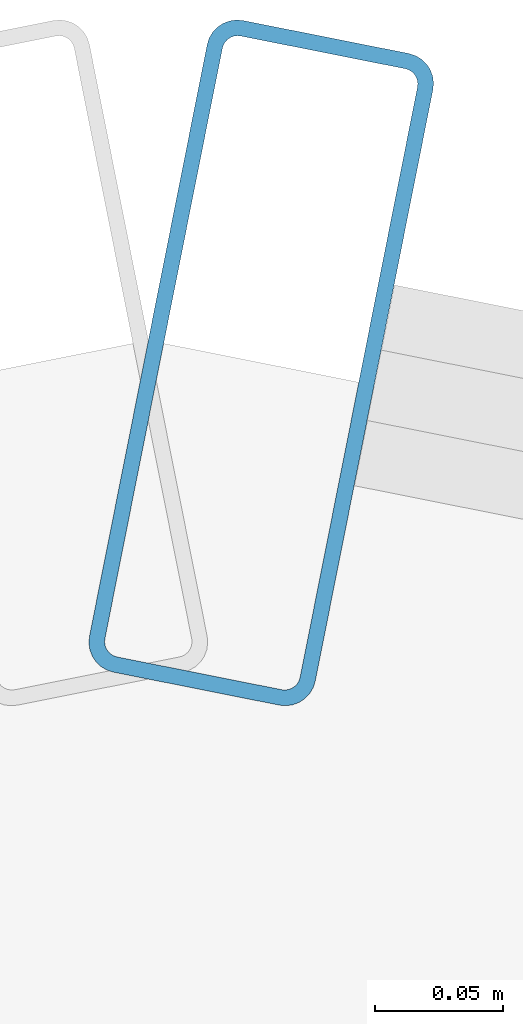
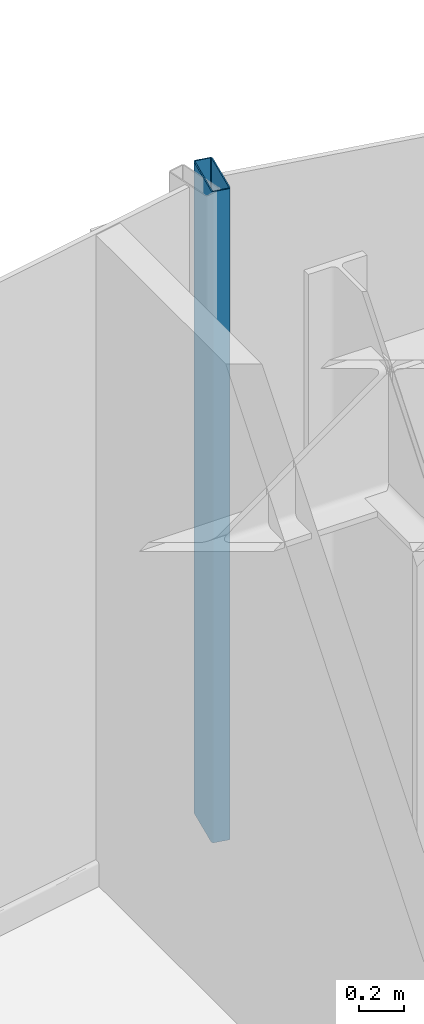
# One storey, part 15 of 26: 1 member, 1 element without a shape of its own.
"""IFC4 building model written with IfcOpenShell, lengths in metres."""

from ifc_helpers import new_model, si_unit, direction, frame, origin, origin_2d, place, context, subcontext, project, spatial, hollow_rectangle, extrude, source, transform, mapped, material, layer, layer_set, material_profile, profile_set, type_object, element, aggregate, save


model = new_model("IFC4")

# Units and contexts
model_context = context("Model", 3, precision=1e-05, world=origin(), true_north=direction((0.0, 1.0)))
body_context = subcontext(model_context, "Body", "Model", "MODEL_VIEW")
ifc_project = project(units=[si_unit("LENGTHUNIT", "METRE"), si_unit("AREAUNIT", "SQUARE_METRE"), si_unit("VOLUMEUNIT", "CUBIC_METRE"), si_unit("PLANEANGLEUNIT", "RADIAN"), si_unit("MASSUNIT", "GRAM", prefix="KILO")], contexts=[model_context])

# Site, building, storey
site_placement = place(None, origin())
site = spatial("IfcSite", under=ifc_project, at=site_placement, CompositionType="ELEMENT")
building_placement = place(site_placement, origin())
building = spatial("IfcBuilding", under=site, at=building_placement, Name="Nefas-Gora Pilgrimage Tower", CompositionType="ELEMENT")
storey_placement = place(building_placement, frame((0.0, 0.0, 63.39990234375)))
storey = spatial("IfcBuildingStorey", under=building, at=storey_placement, Name="L14", CompositionType="ELEMENT", Elevation=63.39990234375)

# Curtain wall, member
ifc_material_1 = material(Name="Dark ceramic-fritted solar-control aluminium-glass curtain wall", Category="aluminium")
ifc_layer = layer(ifc_material_1, 0.219970703125)
ifc_layer_set = layer_set([ifc_layer], Name="Dark ceramic-fritted solar-control aluminium-glass curtain wall")
curtain_wall_type = type_object("IfcCurtainWallType", Name="CW-SYS-5", PredefinedType="NOTDEFINED", material=ifc_layer_set)
curtain_wall_placement = place(storey_placement, origin())
curtain_wall = element("IfcCurtainWall", 1, at=curtain_wall_placement, inside=storey, type_object=curtain_wall_type, Name="L14 Unitised Curtain Wall CW5", PredefinedType="NOTDEFINED")
ifc_material_2 = material(Name="Anodised architectural aluminium", Category="aluminium")
ifc_material_profile = material_profile(ifc_material_2, hollow_rectangle(XDim=0.090087890625, YDim=0.260009765625, WallThickness=0.006103515625, InnerFilletRadius=0.006103515625, OuterFilletRadius=0.011962890625, at=origin_2d()), Name="ALU MULLION 90x260")
ifc_profile_set = profile_set([ifc_material_profile], Name="Anodised architectural aluminium")
member_type = type_object("IfcMemberType", Name="CWM-MUL-5", PredefinedType="MULLION", material=ifc_profile_set)
shared_shape = source(origin(), body_context, "Body", "SweptSolid", [
    extrude(hollow_rectangle(XDim=0.090087890625, YDim=0.260009765625, WallThickness=0.006103515625, InnerFilletRadius=0.006103515625, OuterFilletRadius=0.011962890625, at=origin_2d()), origin(), (0.0, 0.0, 1.0), 3.550048828125),
])
member_placement = place(storey_placement, frame((-2.205810546875, 24.16357421875, 0.0), z_axis=(0.0, 0.0, 1.0), x_axis=(-0.980782896852, 0.195102304554, 0.0)))
member = element("IfcMember", 2, at=member_placement, type_object=member_type, Name="CW5 Mullion 2", PredefinedType="MULLION", context=body_context, shape_type="MappedRepresentation", body=[
    mapped(shared_shape, transform((0.0, 0.0, 0.0), x_axis=(1.0, 0.0, 0.0), y_axis=(0.0, 1.0, 0.0), z_axis=(0.0, 0.0, 1.0), scale=1.0)),
])
aggregate(curtain_wall, [member])

save(model, "model.ifc")
